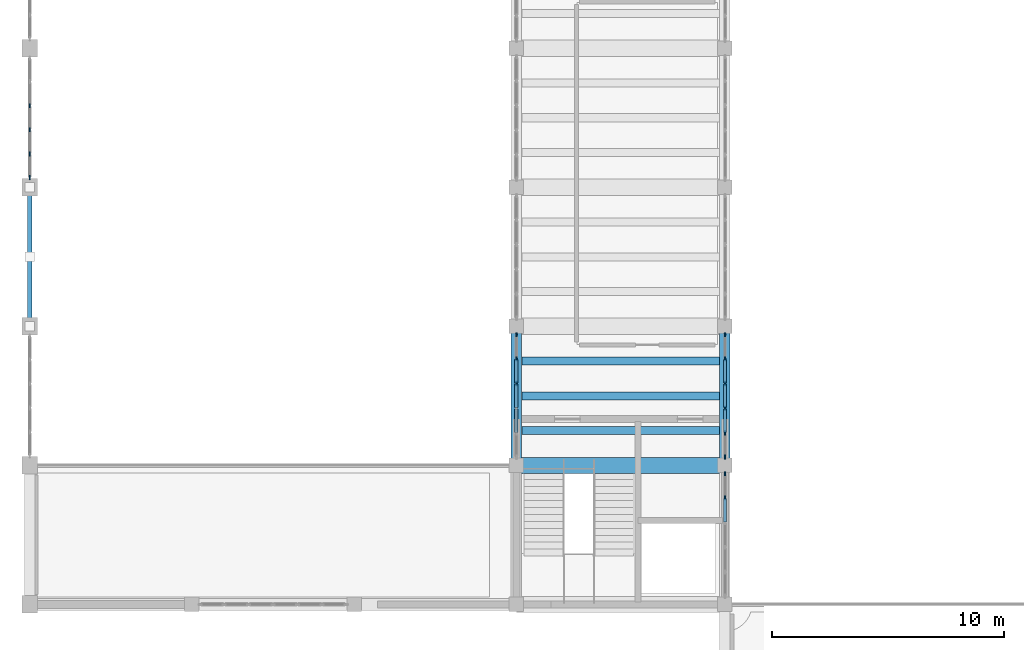
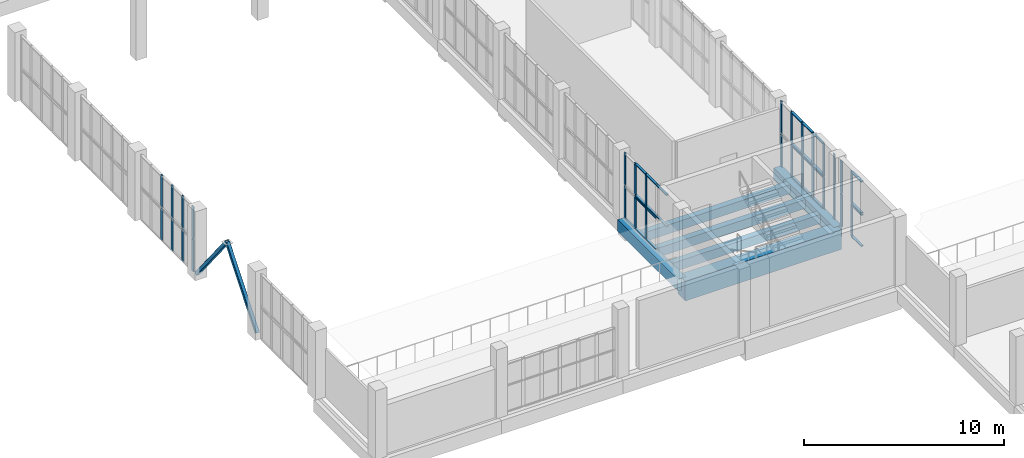
# One storey, part 4 of 85: 58 members, 6 beams, 8 elements without a shape of their own.
"""IFC4 building model written with IfcOpenShell, lengths in metres."""

import ifcopenshell
import ifcopenshell.guid

model = None  # the IFC model being written
_history = None  # IfcOwnerHistory: only IFC2X3 demands one
_inside = {}  # id of a spatial element -> (the spatial element, [elements in it])
_under = {}  # id of a project, library or spatial element -> (it, [spatial elements below it])
_declared = {}  # id of a project -> (the project, [libraries it declares])
_typed = {}  # id of a type object -> (the type object, [elements of that type])
_made_of = {}  # id of a material, layer set ... -> (it, [elements and type objects made of it])


def new_model(schema):
    """Start an empty IFC model of exactly this schema.

    Asked for "IFC4X3", IfcOpenShell would pick the latest addendum, in which some entities
    have other attributes; the version numbers below select the first issue.
    IFC2X3 requires an IfcOwnerHistory on every rooted entity: one is made here for all.
    """
    global model, _history
    if schema == "IFC4X3":
        model = ifcopenshell.file(schema_version=(4, 3, 0, 0))
    else:
        model = ifcopenshell.file(schema=schema)
    _inside.clear()
    _under.clear()
    _declared.clear()
    _typed.clear()
    _made_of.clear()
    _history = None
    if model.schema == "IFC2X3":
        org = make("IfcOrganization", Name="unknown")
        user = make(
            "IfcPersonAndOrganization",
            ThePerson=make("IfcPerson", FamilyName="unknown"),
            TheOrganization=org,
        )
        app = make(
            "IfcApplication",
            ApplicationDeveloper=org,
            Version="unknown",
            ApplicationFullName="unknown",
            ApplicationIdentifier="unknown",
        )
        _history = make(
            "IfcOwnerHistory",
            OwningUser=user,
            OwningApplication=app,
            ChangeAction="ADDED",
            CreationDate=0,
        )
    return model


def make(cls, **values):
    """One entity of the class cls with the attributes given. An attribute that is None is left unset."""
    return model.create_entity(
        cls, **{name: value for name, value in values.items() if value is not None}
    )


def rooted(cls, **values):
    """An entity with a GlobalId (a new one), such as an element, a storey or a relation."""
    return make(cls, GlobalId=ifcopenshell.guid.new(), OwnerHistory=_history, **values)


def si_unit(unit_type, name, prefix=None):
    """IfcSIUnit, for example si_unit("LENGTHUNIT", "METRE", prefix="MILLI")."""
    return make("IfcSIUnit", UnitType=unit_type, Prefix=prefix, Name=name)


def assignment(units):
    """IfcUnitAssignment: the units of a project."""
    return None if units is None else make("IfcUnitAssignment", Units=units)


def point(xyz):
    """IfcCartesianPoint."""
    return None if xyz is None else make("IfcCartesianPoint", Coordinates=xyz)


def direction(xyz):
    """IfcDirection."""
    return None if xyz is None else make("IfcDirection", DirectionRatios=xyz)


def frame(location, z_axis=None, x_axis=None):
    """IfcAxis2Placement3D, a coordinate frame: its origin and axes. An axis left out is left unset."""
    return make(
        "IfcAxis2Placement3D",
        Location=point(location),
        Axis=direction(z_axis),
        RefDirection=direction(x_axis),
    )


def frame_2d(location, x_axis=None):
    """IfcAxis2Placement2D, a coordinate frame in the plane: its origin and x axis."""
    return make(
        "IfcAxis2Placement2D", Location=point(location), RefDirection=direction(x_axis)
    )


def origin():
    """The frame at (0, 0, 0) with its axes left unset."""
    return frame((0.0, 0.0, 0.0))


def origin_2d():
    """The frame at (0, 0) in the plane with its x axis left unset."""
    return frame_2d((0.0, 0.0))


def place(relative_to, where):
    """IfcLocalPlacement: puts the frame where relative to a parent placement (None: the world)."""
    return make(
        "IfcLocalPlacement", PlacementRelTo=relative_to, RelativePlacement=where
    )


def context(
    kind, dimensions, precision=None, world=None, true_north=None, identifier=None
):
    """IfcGeometricRepresentationContext, for example the 3D "Model" context."""
    return make(
        "IfcGeometricRepresentationContext",
        ContextIdentifier=identifier,
        ContextType=kind,
        CoordinateSpaceDimension=dimensions,
        Precision=precision,
        WorldCoordinateSystem=world,
        TrueNorth=true_north,
    )


def subcontext(parent, identifier, kind, view, scale=None):
    """IfcGeometricRepresentationSubContext, for example "Body" below "Model"."""
    return make(
        "IfcGeometricRepresentationSubContext",
        ContextIdentifier=identifier,
        ContextType=kind,
        ParentContext=parent,
        TargetScale=scale,
        TargetView=view,
    )


def project(units=None, contexts=None):
    """IfcProject with its units and contexts."""
    return rooted(
        "IfcProject",
        Name="project",
        RepresentationContexts=contexts,
        UnitsInContext=assignment(units),
    )


def spatial(cls, under=None, at=None, **own):
    """A site, building, storey or space (cls), placed at a placement, below another one or the project."""
    s = rooted(cls, ObjectPlacement=at, **own)
    if under is not None:
        _under.setdefault(under.id(), (under, []))[1].append(s)
    return s


def profile(cls, at=None, kind="AREA", **sizes):
    """A parametric profile (cls). Its sizes go by their IFC names, for example OverallWidth=200.0."""
    return make(cls, ProfileType=kind, Position=at, **sizes)


def rectangle(**sizes):
    """IfcRectangleProfileDef."""
    return profile("IfcRectangleProfileDef", **sizes)


def hollow_rectangle(**sizes):
    """IfcRectangleHollowProfileDef."""
    return profile("IfcRectangleHollowProfileDef", **sizes)


def extrude(swept, where, along, depth):
    """IfcExtrudedAreaSolid: the profile swept, set in the frame where, extruded along a direction by depth."""
    return make(
        "IfcExtrudedAreaSolid",
        SweptArea=swept,
        Position=where,
        ExtrudedDirection=direction(along),
        Depth=depth,
    )


def shape(context_of_items, identifier, shape_type, items):
    """IfcShapeRepresentation: the items that make up one representation, for example the "Body"."""
    return make(
        "IfcShapeRepresentation",
        ContextOfItems=context_of_items,
        RepresentationIdentifier=identifier,
        RepresentationType=shape_type,
        Items=items,
    )


def material(Name=None, Category=None):
    """IfcMaterial."""
    return make("IfcMaterial", Name=Name, Category=Category)


def layer(
    of_material, thickness, ventilated=None, Name=None, Category=None, Priority=None
):
    """IfcMaterialLayer: one layer of a wall or slab, of a material (None: an air gap)."""
    return make(
        "IfcMaterialLayer",
        Material=of_material,
        LayerThickness=thickness,
        IsVentilated=ventilated,
        Name=Name,
        Category=Category,
        Priority=Priority,
    )


def layer_set(layers, Name=None):
    """IfcMaterialLayerSet."""
    return make("IfcMaterialLayerSet", MaterialLayers=layers, LayerSetName=Name)


def material_profile(
    of_material, cross_section, Name=None, Category=None, Priority=None
):
    """IfcMaterialProfile: a cross section and its material."""
    return make(
        "IfcMaterialProfile",
        Name=Name,
        Material=of_material,
        Profile=cross_section,
        Priority=Priority,
        Category=Category,
    )


def profile_set(profiles, Name=None, composite=None):
    """IfcMaterialProfileSet."""
    return make(
        "IfcMaterialProfileSet",
        Name=Name,
        MaterialProfiles=profiles,
        CompositeProfile=composite,
    )


def made_of(thing, what):
    """Note that an element or type object is made of a material, layer set ...; save() writes the relation."""
    if what is not None:
        _made_of.setdefault(what.id(), (what, []))[1].append(thing)
    return thing


def type_object(cls, material=None, **own):
    """A type object (cls), such as IfcWallType, which elements share."""
    return made_of(rooted(cls, **own), material)


def element(
    cls,
    number,
    at=None,
    inside=None,
    cuts=None,
    type_object=None,
    material=None,
    context=None,
    identifier="Body",
    shape_type=None,
    held_by="IfcProductDefinitionShape",
    body=None,
    shapes=None,
    **own,
):
    """One element of the class cls, such as IfcWall. Its Tag is "e" and its number.

    at: its placement. inside: the storey or other place that contains it. cuts: it is an
    opening in that element (IfcRelVoidsElement). A single representation is given by context,
    identifier, shape_type and body (its items); several are given by shapes. held_by: the class
    of the entity that holds the representations. save() writes the other relations.
    """
    e = rooted(cls, Tag="e%d" % number, ObjectPlacement=at, **own)
    if body is not None:
        shapes = [shape(context, identifier, shape_type, body)]
    if shapes is not None:
        e.Representation = make(held_by, Representations=shapes)
    if inside is not None:
        _inside.setdefault(inside.id(), (inside, []))[1].append(e)
    if cuts is not None:
        rooted(
            "IfcRelVoidsElement", RelatingBuildingElement=cuts, RelatedOpeningElement=e
        )
    if type_object is not None:
        _typed.setdefault(type_object.id(), (type_object, []))[1].append(e)
    return made_of(e, material)


def aggregate(whole, parts):
    """IfcRelAggregates: a whole, such as a stair, and the parts it consists of."""
    return rooted("IfcRelAggregates", RelatingObject=whole, RelatedObjects=parts)


def save(model, path):
    """Write the relations noted so far, then the file.

    IfcRelAggregates (storeys below a building ...), IfcRelContainedInSpatialStructure (elements
    in a storey), IfcRelDefinesByType, IfcRelAssociatesMaterial and IfcRelDeclares: one each for
    every whole, place, type object, material and project.
    """
    for whole, parts in _under.values():
        aggregate(whole, parts)
    for where, things in _inside.values():
        rooted(
            "IfcRelContainedInSpatialStructure",
            RelatedElements=things,
            RelatingStructure=where,
        )
    for kind, things in _typed.values():
        rooted("IfcRelDefinesByType", RelatedObjects=things, RelatingType=kind)
    for what, things in _made_of.values():
        rooted("IfcRelAssociatesMaterial", RelatedObjects=things, RelatingMaterial=what)
    for by, libraries in _declared.values():
        rooted("IfcRelDeclares", RelatingContext=by, RelatedDefinitions=libraries)
    model.write(path)


model = new_model("IFC4")

# Units and contexts
model_context = context("Model", 3, precision=1e-05, world=origin(), true_north=direction((0.0, 1.0)))
body_context = subcontext(model_context, "Body", "Model", "MODEL_VIEW")
ifc_project = project(units=[si_unit("LENGTHUNIT", "METRE"), si_unit("AREAUNIT", "SQUARE_METRE"), si_unit("VOLUMEUNIT", "CUBIC_METRE"), si_unit("PLANEANGLEUNIT", "RADIAN"), si_unit("MASSUNIT", "GRAM", prefix="KILO")], contexts=[model_context])

# Site, building, storey
site_placement = place(None, origin())
site = spatial("IfcSite", under=ifc_project, at=site_placement, CompositionType="ELEMENT")
building_placement = place(site_placement, origin())
building = spatial("IfcBuilding", under=site, at=building_placement, Name="Solvane Community Centre", CompositionType="ELEMENT")
storey_placement = place(building_placement, frame((0.0, 0.0, 5.39990234375)))
storey = spatial("IfcBuildingStorey", under=building, at=storey_placement, Name="L01", CompositionType="ELEMENT", Elevation=5.39990234375)

# Curtain wall, members
ifc_material_1 = material(Name="Anodised bronze aluminium AW-6063 T6", Category="aluminium")
ifc_layer_1 = layer(ifc_material_1, 0.179931640625)
ifc_layer_set_1 = layer_set([ifc_layer_1], Name="Anodised bronze aluminium AW-6063 T6")
curtain_wall_type_1 = type_object("IfcCurtainWallType", Name="Hall Translucent Upper Curtain Wall [53x19dm]", PredefinedType="NOTDEFINED", material=ifc_layer_set_1)
curtain_wall_1_placement = place(storey_placement, origin())
curtain_wall_1 = element("IfcCurtainWall", 1, at=curtain_wall_1_placement, inside=storey, type_object=curtain_wall_type_1, Name="Curtain Wall CW-L01-360_423-031", PredefinedType="NOTDEFINED")
ifc_material_profile_1 = material_profile(ifc_material_1, rectangle(XDim=0.06005859375, YDim=0.179931640625, at=origin_2d()), Name="CW-M 60x180")
ifc_profile_set_1 = profile_set([ifc_material_profile_1], Name="Anodised bronze aluminium AW-6063 T6")
member_type_1 = type_object("IfcMemberType", Name="Hall Mullion 60x180", PredefinedType="MULLION", material=ifc_profile_set_1)
member_1_placement = place(storey_placement, frame((36.0, 46.60205078125, 0.0), z_axis=(0.0, 0.0, 1.0), x_axis=(-1.0, 0.0, 0.0)))
member_1 = element("IfcMember", 2, at=member_1_placement, type_object=member_type_1, Name="CW01-53x19 mullion 5", PredefinedType="MULLION", context=body_context, shape_type="SweptSolid", body=[
    extrude(rectangle(XDim=0.06005859375, YDim=0.179931640625, at=origin_2d()), origin(), (0.0, 0.0, 1.0), 1.9501953125),
])
member_2_placement = place(storey_placement, frame((36.0, 47.639892578125, 0.0), z_axis=(0.0, 0.0, 1.0), x_axis=(-1.0, 0.0, 0.0)))
member_2 = element("IfcMember", 3, at=member_2_placement, type_object=member_type_1, Name="CW01-53x19 mullion 6", PredefinedType="MULLION", context=body_context, shape_type="SweptSolid", body=[
    extrude(rectangle(XDim=0.06005859375, YDim=0.179931640625, at=origin_2d()), origin(), (0.0, 0.0, 1.0), 1.9501953125),
])

ifc_layer_2 = layer(ifc_material_1, 0.179931640625)
ifc_layer_set_2 = layer_set([ifc_layer_2], Name="Anodised bronze aluminium AW-6063 T6")
curtain_wall_type_2 = type_object("IfcCurtainWallType", Name="Hall Translucent Upper Curtain Wall [53x20dm]", PredefinedType="NOTDEFINED", material=ifc_layer_set_2)
curtain_wall_2_placement = place(storey_placement, origin())
curtain_wall_2 = element("IfcCurtainWall", 4, at=curtain_wall_2_placement, inside=storey, type_object=curtain_wall_type_2, Name="Curtain Wall CW-L01-360_423-032", PredefinedType="NOTDEFINED")
member_3_placement = place(storey_placement, frame((36.0, 46.60205078125, 2.02001953125), z_axis=(0.0, 0.0, 1.0), x_axis=(-1.0, 0.0, 0.0)))
member_3 = element("IfcMember", 5, at=member_3_placement, type_object=member_type_1, Name="CW01-53x20 mullion 5", PredefinedType="MULLION", context=body_context, shape_type="SweptSolid", body=[
    extrude(rectangle(XDim=0.06005859375, YDim=0.179931640625, at=origin_2d()), origin(), (0.0, 0.0, 1.0), 1.9599609375),
])
member_4_placement = place(storey_placement, frame((36.0, 47.639892578125, 2.02001953125), z_axis=(0.0, 0.0, 1.0), x_axis=(-1.0, 0.0, 0.0)))
member_4 = element("IfcMember", 6, at=member_4_placement, type_object=member_type_1, Name="CW01-53x20 mullion 6", PredefinedType="MULLION", context=body_context, shape_type="SweptSolid", body=[
    extrude(rectangle(XDim=0.06005859375, YDim=0.179931640625, at=origin_2d()), origin(), (0.0, 0.0, 1.0), 1.9599609375),
])

curtain_wall_3_placement = place(storey_placement, origin())
curtain_wall_3 = element("IfcCurtainWall", 7, at=curtain_wall_3_placement, inside=storey, type_object=curtain_wall_type_1, Name="Curtain Wall CW-L01-360_483-035", PredefinedType="NOTDEFINED")
member_5_placement = place(storey_placement, frame((36.0, 48.360107421875, 0.0), z_axis=(0.0, 0.0, 1.0), x_axis=(-1.0, 0.0, 0.0)))
member_5 = element("IfcMember", 8, at=member_5_placement, type_object=member_type_1, Name="CW01-53x19 mullion 1", PredefinedType="MULLION", context=body_context, shape_type="SweptSolid", body=[
    extrude(rectangle(XDim=0.06005859375, YDim=0.179931640625, at=origin_2d()), origin(), (0.0, 0.0, 1.0), 1.9501953125),
])
member_6_placement = place(storey_placement, frame((36.0, 49.39794921875, 0.0), z_axis=(0.0, 0.0, 1.0), x_axis=(-1.0, 0.0, 0.0)))
member_6 = element("IfcMember", 9, at=member_6_placement, type_object=member_type_1, Name="CW01-53x19 mullion 2", PredefinedType="MULLION", context=body_context, shape_type="SweptSolid", body=[
    extrude(rectangle(XDim=0.06005859375, YDim=0.179931640625, at=origin_2d()), origin(), (0.0, 0.0, 1.0), 1.9501953125),
])
member_7_placement = place(storey_placement, frame((36.0, 50.466064453125, 0.0), z_axis=(0.0, 0.0, 1.0), x_axis=(-1.0, 0.0, 0.0)))
member_7 = element("IfcMember", 10, at=member_7_placement, type_object=member_type_1, Name="CW01-53x19 mullion 3", PredefinedType="MULLION", context=body_context, shape_type="SweptSolid", body=[
    extrude(rectangle(XDim=0.06005859375, YDim=0.179931640625, at=origin_2d()), origin(), (0.0, 0.0, 1.0), 1.9501953125),
])
member_8_placement = place(storey_placement, frame((36.0, 51.533935546875, 0.0), z_axis=(0.0, 0.0, 1.0), x_axis=(-1.0, 0.0, 0.0)))
member_8 = element("IfcMember", 11, at=member_8_placement, type_object=member_type_1, Name="CW01-53x19 mullion 4", PredefinedType="MULLION", context=body_context, shape_type="SweptSolid", body=[
    extrude(rectangle(XDim=0.06005859375, YDim=0.179931640625, at=origin_2d()), origin(), (0.0, 0.0, 1.0), 1.9501953125),
])
member_9_placement = place(storey_placement, frame((36.0, 52.60205078125, 0.0), z_axis=(0.0, 0.0, 1.0), x_axis=(-1.0, 0.0, 0.0)))
member_9 = element("IfcMember", 12, at=member_9_placement, type_object=member_type_1, Name="CW01-53x19 mullion 5", PredefinedType="MULLION", context=body_context, shape_type="SweptSolid", body=[
    extrude(rectangle(XDim=0.06005859375, YDim=0.179931640625, at=origin_2d()), origin(), (0.0, 0.0, 1.0), 1.9501953125),
])
member_10_placement = place(storey_placement, frame((36.0, 53.639892578125, 0.0), z_axis=(0.0, 0.0, 1.0), x_axis=(-1.0, 0.0, 0.0)))
member_10 = element("IfcMember", 13, at=member_10_placement, type_object=member_type_1, Name="CW01-53x19 mullion 6", PredefinedType="MULLION", context=body_context, shape_type="SweptSolid", body=[
    extrude(rectangle(XDim=0.06005859375, YDim=0.179931640625, at=origin_2d()), origin(), (0.0, 0.0, 1.0), 1.9501953125),
])

curtain_wall_4_placement = place(storey_placement, origin())
curtain_wall_4 = element("IfcCurtainWall", 14, at=curtain_wall_4_placement, inside=storey, type_object=curtain_wall_type_2, Name="Curtain Wall CW-L01-360_483-036", PredefinedType="NOTDEFINED")
member_11_placement = place(storey_placement, frame((36.0, 48.360107421875, 2.02001953125), z_axis=(0.0, 0.0, 1.0), x_axis=(-1.0, 0.0, 0.0)))
member_11 = element("IfcMember", 15, at=member_11_placement, type_object=member_type_1, Name="CW01-53x20 mullion 1", PredefinedType="MULLION", context=body_context, shape_type="SweptSolid", body=[
    extrude(rectangle(XDim=0.06005859375, YDim=0.179931640625, at=origin_2d()), origin(), (0.0, 0.0, 1.0), 1.9599609375),
])
member_12_placement = place(storey_placement, frame((36.0, 49.39794921875, 2.02001953125), z_axis=(0.0, 0.0, 1.0), x_axis=(-1.0, 0.0, 0.0)))
member_12 = element("IfcMember", 16, at=member_12_placement, type_object=member_type_1, Name="CW01-53x20 mullion 2", PredefinedType="MULLION", context=body_context, shape_type="SweptSolid", body=[
    extrude(rectangle(XDim=0.06005859375, YDim=0.179931640625, at=origin_2d()), origin(), (0.0, 0.0, 1.0), 1.9599609375),
])
member_13_placement = place(storey_placement, frame((36.0, 50.466064453125, 2.02001953125), z_axis=(0.0, 0.0, 1.0), x_axis=(-1.0, 0.0, 0.0)))
member_13 = element("IfcMember", 17, at=member_13_placement, type_object=member_type_1, Name="CW01-53x20 mullion 3", PredefinedType="MULLION", context=body_context, shape_type="SweptSolid", body=[
    extrude(rectangle(XDim=0.06005859375, YDim=0.179931640625, at=origin_2d()), origin(), (0.0, 0.0, 1.0), 1.9599609375),
])
member_14_placement = place(storey_placement, frame((36.0, 51.533935546875, 2.02001953125), z_axis=(0.0, 0.0, 1.0), x_axis=(-1.0, 0.0, 0.0)))
member_14 = element("IfcMember", 18, at=member_14_placement, type_object=member_type_1, Name="CW01-53x20 mullion 4", PredefinedType="MULLION", context=body_context, shape_type="SweptSolid", body=[
    extrude(rectangle(XDim=0.06005859375, YDim=0.179931640625, at=origin_2d()), origin(), (0.0, 0.0, 1.0), 1.9599609375),
])
member_15_placement = place(storey_placement, frame((36.0, 52.60205078125, 2.02001953125), z_axis=(0.0, 0.0, 1.0), x_axis=(-1.0, 0.0, 0.0)))
member_15 = element("IfcMember", 19, at=member_15_placement, type_object=member_type_1, Name="CW01-53x20 mullion 5", PredefinedType="MULLION", context=body_context, shape_type="SweptSolid", body=[
    extrude(rectangle(XDim=0.06005859375, YDim=0.179931640625, at=origin_2d()), origin(), (0.0, 0.0, 1.0), 1.9599609375),
])
member_16_placement = place(storey_placement, frame((36.0, 53.639892578125, 2.02001953125), z_axis=(0.0, 0.0, 1.0), x_axis=(-1.0, 0.0, 0.0)))
member_16 = element("IfcMember", 20, at=member_16_placement, type_object=member_type_1, Name="CW01-53x20 mullion 6", PredefinedType="MULLION", context=body_context, shape_type="SweptSolid", body=[
    extrude(rectangle(XDim=0.06005859375, YDim=0.179931640625, at=origin_2d()), origin(), (0.0, 0.0, 1.0), 1.9599609375),
])

curtain_wall_5_placement = place(storey_placement, origin())
curtain_wall_5 = element("IfcCurtainWall", 21, at=curtain_wall_5_placement, inside=storey, type_object=curtain_wall_type_1, Name="Curtain Wall CW-L01-270_537-041", PredefinedType="NOTDEFINED")
member_17_placement = place(storey_placement, frame((27.0, 53.639892578125, 0.0), z_axis=(0.0, 0.0, 1.0), x_axis=(1.0, 0.0, 0.0)))
member_17 = element("IfcMember", 22, at=member_17_placement, type_object=member_type_1, Name="CW01-53x19 mullion 1", PredefinedType="MULLION", context=body_context, shape_type="SweptSolid", body=[
    extrude(rectangle(XDim=0.06005859375, YDim=0.179931640625, at=origin_2d()), origin(), (0.0, 0.0, 1.0), 1.9501953125),
])
member_18_placement = place(storey_placement, frame((27.0, 52.60205078125, 0.0), z_axis=(0.0, 0.0, 1.0), x_axis=(1.0, 0.0, 0.0)))
member_18 = element("IfcMember", 23, at=member_18_placement, type_object=member_type_1, Name="CW01-53x19 mullion 2", PredefinedType="MULLION", context=body_context, shape_type="SweptSolid", body=[
    extrude(rectangle(XDim=0.06005859375, YDim=0.179931640625, at=origin_2d()), origin(), (0.0, 0.0, 1.0), 1.9501953125),
])
member_19_placement = place(storey_placement, frame((27.0, 51.533935546875, 0.0), z_axis=(0.0, 0.0, 1.0), x_axis=(1.0, 0.0, 0.0)))
member_19 = element("IfcMember", 24, at=member_19_placement, type_object=member_type_1, Name="CW01-53x19 mullion 3", PredefinedType="MULLION", context=body_context, shape_type="SweptSolid", body=[
    extrude(rectangle(XDim=0.06005859375, YDim=0.179931640625, at=origin_2d()), origin(), (0.0, 0.0, 1.0), 1.9501953125),
])

curtain_wall_6_placement = place(storey_placement, origin())
curtain_wall_6 = element("IfcCurtainWall", 25, at=curtain_wall_6_placement, inside=storey, type_object=curtain_wall_type_2, Name="Curtain Wall CW-L01-270_537-042", PredefinedType="NOTDEFINED")
member_20_placement = place(storey_placement, frame((27.0, 53.639892578125, 2.02001953125), z_axis=(0.0, 0.0, 1.0), x_axis=(1.0, 0.0, 0.0)))
member_20 = element("IfcMember", 26, at=member_20_placement, type_object=member_type_1, Name="CW01-53x20 mullion 1", PredefinedType="MULLION", context=body_context, shape_type="SweptSolid", body=[
    extrude(rectangle(XDim=0.06005859375, YDim=0.179931640625, at=origin_2d()), origin(), (0.0, 0.0, 1.0), 1.9599609375),
])
member_21_placement = place(storey_placement, frame((27.0, 52.60205078125, 2.02001953125), z_axis=(0.0, 0.0, 1.0), x_axis=(1.0, 0.0, 0.0)))
member_21 = element("IfcMember", 27, at=member_21_placement, type_object=member_type_1, Name="CW01-53x20 mullion 2", PredefinedType="MULLION", context=body_context, shape_type="SweptSolid", body=[
    extrude(rectangle(XDim=0.06005859375, YDim=0.179931640625, at=origin_2d()), origin(), (0.0, 0.0, 1.0), 1.9599609375),
])
member_22_placement = place(storey_placement, frame((27.0, 51.533935546875, 2.02001953125), z_axis=(0.0, 0.0, 1.0), x_axis=(1.0, 0.0, 0.0)))
member_22 = element("IfcMember", 28, at=member_22_placement, type_object=member_type_1, Name="CW01-53x20 mullion 3", PredefinedType="MULLION", context=body_context, shape_type="SweptSolid", body=[
    extrude(rectangle(XDim=0.06005859375, YDim=0.179931640625, at=origin_2d()), origin(), (0.0, 0.0, 1.0), 1.9599609375),
])

ifc_layer_3 = layer(ifc_material_1, 0.179931640625)
ifc_layer_set_3 = layer_set([ifc_layer_3], Name="Anodised bronze aluminium AW-6063 T6")
curtain_wall_type_3 = type_object("IfcCurtainWallType", Name="Hall Translucent Upper Curtain Wall [52x19dm]", PredefinedType="NOTDEFINED", material=ifc_layer_set_3)
curtain_wall_7_placement = place(storey_placement, origin())
curtain_wall_7 = element("IfcCurtainWall", 29, at=curtain_wall_7_placement, inside=storey, type_object=curtain_wall_type_3, Name="Curtain Wall CW-L01-60_604-053", PredefinedType="NOTDEFINED")
member_23_placement = place(storey_placement, frame((6.0, 60.425048828125, 0.0), z_axis=(0.0, 0.0, 1.0), x_axis=(-1.0, 0.0, 0.0)))
member_23 = element("IfcMember", 30, at=member_23_placement, type_object=member_type_1, Name="CW01-52x19 mullion 1", PredefinedType="MULLION", context=body_context, shape_type="SweptSolid", body=[
    extrude(rectangle(XDim=0.06005859375, YDim=0.179931640625, at=origin_2d()), origin(), (0.0, 0.0, 1.0), 1.9501953125),
])
member_24_placement = place(storey_placement, frame((6.0, 61.43701171875, 0.0), z_axis=(0.0, 0.0, 1.0), x_axis=(-1.0, 0.0, 0.0)))
member_24 = element("IfcMember", 31, at=member_24_placement, type_object=member_type_1, Name="CW01-52x19 mullion 2", PredefinedType="MULLION", context=body_context, shape_type="SweptSolid", body=[
    extrude(rectangle(XDim=0.06005859375, YDim=0.179931640625, at=origin_2d()), origin(), (0.0, 0.0, 1.0), 1.9501953125),
])
member_25_placement = place(storey_placement, frame((6.0, 62.47900390625, 0.0), z_axis=(0.0, 0.0, 1.0), x_axis=(-1.0, 0.0, 0.0)))
member_25 = element("IfcMember", 32, at=member_25_placement, type_object=member_type_1, Name="CW01-52x19 mullion 3", PredefinedType="MULLION", context=body_context, shape_type="SweptSolid", body=[
    extrude(rectangle(XDim=0.06005859375, YDim=0.179931640625, at=origin_2d()), origin(), (0.0, 0.0, 1.0), 1.9501953125),
])
member_26_placement = place(storey_placement, frame((6.0, 63.52099609375, 0.0), z_axis=(0.0, 0.0, 1.0), x_axis=(-1.0, 0.0, 0.0)))
member_26 = element("IfcMember", 33, at=member_26_placement, type_object=member_type_1, Name="CW01-52x19 mullion 4", PredefinedType="MULLION", context=body_context, shape_type="SweptSolid", body=[
    extrude(rectangle(XDim=0.06005859375, YDim=0.179931640625, at=origin_2d()), origin(), (0.0, 0.0, 1.0), 1.9501953125),
])
aggregate(curtain_wall_7, [member_23, member_24, member_25, member_26])

ifc_layer_4 = layer(ifc_material_1, 0.179931640625)
ifc_layer_set_4 = layer_set([ifc_layer_4], Name="Anodised bronze aluminium AW-6063 T6")
curtain_wall_type_4 = type_object("IfcCurtainWallType", Name="Hall Translucent Upper Curtain Wall [52x20dm]", PredefinedType="NOTDEFINED", material=ifc_layer_set_4)
curtain_wall_8_placement = place(storey_placement, origin())
curtain_wall_8 = element("IfcCurtainWall", 34, at=curtain_wall_8_placement, inside=storey, type_object=curtain_wall_type_4, Name="Curtain Wall CW-L01-60_604-054", PredefinedType="NOTDEFINED")
member_27_placement = place(storey_placement, frame((6.0, 60.425048828125, 2.02001953125), z_axis=(0.0, 0.0, 1.0), x_axis=(-1.0, 0.0, 0.0)))
member_27 = element("IfcMember", 35, at=member_27_placement, type_object=member_type_1, Name="CW01-52x20 mullion 1", PredefinedType="MULLION", context=body_context, shape_type="SweptSolid", body=[
    extrude(rectangle(XDim=0.06005859375, YDim=0.179931640625, at=origin_2d()), origin(), (0.0, 0.0, 1.0), 1.9599609375),
])
member_28_placement = place(storey_placement, frame((6.0, 61.43701171875, 2.02001953125), z_axis=(0.0, 0.0, 1.0), x_axis=(-1.0, 0.0, 0.0)))
member_28 = element("IfcMember", 36, at=member_28_placement, type_object=member_type_1, Name="CW01-52x20 mullion 2", PredefinedType="MULLION", context=body_context, shape_type="SweptSolid", body=[
    extrude(rectangle(XDim=0.06005859375, YDim=0.179931640625, at=origin_2d()), origin(), (0.0, 0.0, 1.0), 1.9599609375),
])
member_29_placement = place(storey_placement, frame((6.0, 62.47900390625, 2.02001953125), z_axis=(0.0, 0.0, 1.0), x_axis=(-1.0, 0.0, 0.0)))
member_29 = element("IfcMember", 37, at=member_29_placement, type_object=member_type_1, Name="CW01-52x20 mullion 3", PredefinedType="MULLION", context=body_context, shape_type="SweptSolid", body=[
    extrude(rectangle(XDim=0.06005859375, YDim=0.179931640625, at=origin_2d()), origin(), (0.0, 0.0, 1.0), 1.9599609375),
])
member_30_placement = place(storey_placement, frame((6.0, 63.52099609375, 2.02001953125), z_axis=(0.0, 0.0, 1.0), x_axis=(-1.0, 0.0, 0.0)))
member_30 = element("IfcMember", 38, at=member_30_placement, type_object=member_type_1, Name="CW01-52x20 mullion 4", PredefinedType="MULLION", context=body_context, shape_type="SweptSolid", body=[
    extrude(rectangle(XDim=0.06005859375, YDim=0.179931640625, at=origin_2d()), origin(), (0.0, 0.0, 1.0), 1.9599609375),
])
aggregate(curtain_wall_8, [member_27, member_28, member_29, member_30])

# Member
ifc_material_profile_2 = material_profile(ifc_material_1, rectangle(XDim=0.139892578125, YDim=0.06005859375, at=origin_2d()), Name="CW-T 60x140")
ifc_profile_set_2 = profile_set([ifc_material_profile_2], Name="Anodised bronze aluminium AW-6063 T6")
member_type_2 = type_object("IfcMemberType", Name="Hall Transom 60x140", PredefinedType="USERDEFINED", material=ifc_profile_set_2)
member_31_placement = place(storey_placement, frame((36.0, 45.56396484375, 0.030029296875), z_axis=(0.0, 1.0, 0.0), x_axis=(-1.0, 0.0, 0.0)))
member_31 = element("IfcMember", 39, at=member_31_placement, type_object=member_type_2, Name="CW01-53x19 transom 4.1", ObjectType="TRANSOM", PredefinedType="USERDEFINED", context=body_context, shape_type="SweptSolid", body=[
    extrude(rectangle(XDim=0.139892578125, YDim=0.06005859375, at=origin_2d()), origin(), (0.0, 0.0, 1.0), 1.008056640625),
])

member_32_placement = place(storey_placement, frame((36.0, 45.56396484375, 1.920166015625), z_axis=(0.0, 1.0, 0.0), x_axis=(-1.0, 0.0, 0.0)))
member_32 = element("IfcMember", 40, at=member_32_placement, type_object=member_type_2, Name="CW01-53x19 transom 4.2", ObjectType="TRANSOM", PredefinedType="USERDEFINED", context=body_context, shape_type="SweptSolid", body=[
    extrude(rectangle(XDim=0.139892578125, YDim=0.06005859375, at=origin_2d()), origin(), (0.0, 0.0, 1.0), 1.008056640625),
])

aggregate(curtain_wall_1, [member_1, member_2, member_31, member_32])

member_33_placement = place(storey_placement, frame((36.0, 45.56396484375, 2.050048828125), z_axis=(0.0, 1.0, 0.0), x_axis=(-1.0, 0.0, 0.0)))
member_33 = element("IfcMember", 41, at=member_33_placement, type_object=member_type_2, Name="CW01-53x20 transom 4.1", ObjectType="TRANSOM", PredefinedType="USERDEFINED", context=body_context, shape_type="SweptSolid", body=[
    extrude(rectangle(XDim=0.139892578125, YDim=0.06005859375, at=origin_2d()), origin(), (0.0, 0.0, 1.0), 1.008056640625),
])

member_34_placement = place(storey_placement, frame((36.0, 45.56396484375, 3.9501953125), z_axis=(0.0, 1.0, 0.0), x_axis=(-1.0, 0.0, 0.0)))
member_34 = element("IfcMember", 42, at=member_34_placement, type_object=member_type_2, Name="CW01-53x20 transom 4.2", ObjectType="TRANSOM", PredefinedType="USERDEFINED", context=body_context, shape_type="SweptSolid", body=[
    extrude(rectangle(XDim=0.139892578125, YDim=0.06005859375, at=origin_2d()), origin(), (0.0, 0.0, 1.0), 1.008056640625),
])

aggregate(curtain_wall_2, [member_3, member_4, member_33, member_34])

member_35_placement = place(storey_placement, frame((36.0, 49.427978515625, 0.030029296875), z_axis=(0.0, 1.0, 0.0), x_axis=(-1.0, 0.0, 0.0)))
member_35 = element("IfcMember", 43, at=member_35_placement, type_object=member_type_2, Name="CW01-53x19 transom 2.1", ObjectType="TRANSOM", PredefinedType="USERDEFINED", context=body_context, shape_type="SweptSolid", body=[
    extrude(rectangle(XDim=0.139892578125, YDim=0.06005859375, at=origin_2d()), origin(), (0.0, 0.0, 1.0), 1.008056640625),
])

member_36_placement = place(storey_placement, frame((36.0, 49.427978515625, 1.920166015625), z_axis=(0.0, 1.0, 0.0), x_axis=(-1.0, 0.0, 0.0)))
member_36 = element("IfcMember", 44, at=member_36_placement, type_object=member_type_2, Name="CW01-53x19 transom 2.2", ObjectType="TRANSOM", PredefinedType="USERDEFINED", context=body_context, shape_type="SweptSolid", body=[
    extrude(rectangle(XDim=0.139892578125, YDim=0.06005859375, at=origin_2d()), origin(), (0.0, 0.0, 1.0), 1.008056640625),
])

member_37_placement = place(storey_placement, frame((36.0, 50.49609375, 0.030029296875), z_axis=(0.0, 1.0, 0.0), x_axis=(-1.0, 0.0, 0.0)))
member_37 = element("IfcMember", 45, at=member_37_placement, type_object=member_type_2, Name="CW01-53x19 transom 3.1", ObjectType="TRANSOM", PredefinedType="USERDEFINED", context=body_context, shape_type="SweptSolid", body=[
    extrude(rectangle(XDim=0.139892578125, YDim=0.06005859375, at=origin_2d()), origin(), (0.0, 0.0, 1.0), 1.0078125),
])

member_38_placement = place(storey_placement, frame((36.0, 50.49609375, 1.920166015625), z_axis=(0.0, 1.0, 0.0), x_axis=(-1.0, 0.0, 0.0)))
member_38 = element("IfcMember", 46, at=member_38_placement, type_object=member_type_2, Name="CW01-53x19 transom 3.2", ObjectType="TRANSOM", PredefinedType="USERDEFINED", context=body_context, shape_type="SweptSolid", body=[
    extrude(rectangle(XDim=0.139892578125, YDim=0.06005859375, at=origin_2d()), origin(), (0.0, 0.0, 1.0), 1.0078125),
])

member_39_placement = place(storey_placement, frame((36.0, 51.56396484375, 0.030029296875), z_axis=(0.0, 1.0, 0.0), x_axis=(-1.0, 0.0, 0.0)))
member_39 = element("IfcMember", 47, at=member_39_placement, type_object=member_type_2, Name="CW01-53x19 transom 4.1", ObjectType="TRANSOM", PredefinedType="USERDEFINED", context=body_context, shape_type="SweptSolid", body=[
    extrude(rectangle(XDim=0.139892578125, YDim=0.06005859375, at=origin_2d()), origin(), (0.0, 0.0, 1.0), 1.008056640625),
])

member_40_placement = place(storey_placement, frame((36.0, 51.56396484375, 1.920166015625), z_axis=(0.0, 1.0, 0.0), x_axis=(-1.0, 0.0, 0.0)))
member_40 = element("IfcMember", 48, at=member_40_placement, type_object=member_type_2, Name="CW01-53x19 transom 4.2", ObjectType="TRANSOM", PredefinedType="USERDEFINED", context=body_context, shape_type="SweptSolid", body=[
    extrude(rectangle(XDim=0.139892578125, YDim=0.06005859375, at=origin_2d()), origin(), (0.0, 0.0, 1.0), 1.008056640625),
])

aggregate(curtain_wall_3, [member_5, member_6, member_7, member_8, member_9, member_10, member_35, member_36, member_37, member_38, member_39, member_40])

member_41_placement = place(storey_placement, frame((36.0, 49.427978515625, 2.050048828125), z_axis=(0.0, 1.0, 0.0), x_axis=(-1.0, 0.0, 0.0)))
member_41 = element("IfcMember", 49, at=member_41_placement, type_object=member_type_2, Name="CW01-53x20 transom 2.1", ObjectType="TRANSOM", PredefinedType="USERDEFINED", context=body_context, shape_type="SweptSolid", body=[
    extrude(rectangle(XDim=0.139892578125, YDim=0.06005859375, at=origin_2d()), origin(), (0.0, 0.0, 1.0), 1.008056640625),
])

member_42_placement = place(storey_placement, frame((36.0, 49.427978515625, 3.9501953125), z_axis=(0.0, 1.0, 0.0), x_axis=(-1.0, 0.0, 0.0)))
member_42 = element("IfcMember", 50, at=member_42_placement, type_object=member_type_2, Name="CW01-53x20 transom 2.2", ObjectType="TRANSOM", PredefinedType="USERDEFINED", context=body_context, shape_type="SweptSolid", body=[
    extrude(rectangle(XDim=0.139892578125, YDim=0.06005859375, at=origin_2d()), origin(), (0.0, 0.0, 1.0), 1.008056640625),
])

member_43_placement = place(storey_placement, frame((36.0, 50.49609375, 2.050048828125), z_axis=(0.0, 1.0, 0.0), x_axis=(-1.0, 0.0, 0.0)))
member_43 = element("IfcMember", 51, at=member_43_placement, type_object=member_type_2, Name="CW01-53x20 transom 3.1", ObjectType="TRANSOM", PredefinedType="USERDEFINED", context=body_context, shape_type="SweptSolid", body=[
    extrude(rectangle(XDim=0.139892578125, YDim=0.06005859375, at=origin_2d()), origin(), (0.0, 0.0, 1.0), 1.0078125),
])

member_44_placement = place(storey_placement, frame((36.0, 50.49609375, 3.9501953125), z_axis=(0.0, 1.0, 0.0), x_axis=(-1.0, 0.0, 0.0)))
member_44 = element("IfcMember", 52, at=member_44_placement, type_object=member_type_2, Name="CW01-53x20 transom 3.2", ObjectType="TRANSOM", PredefinedType="USERDEFINED", context=body_context, shape_type="SweptSolid", body=[
    extrude(rectangle(XDim=0.139892578125, YDim=0.06005859375, at=origin_2d()), origin(), (0.0, 0.0, 1.0), 1.0078125),
])

member_45_placement = place(storey_placement, frame((36.0, 51.56396484375, 2.050048828125), z_axis=(0.0, 1.0, 0.0), x_axis=(-1.0, 0.0, 0.0)))
member_45 = element("IfcMember", 53, at=member_45_placement, type_object=member_type_2, Name="CW01-53x20 transom 4.1", ObjectType="TRANSOM", PredefinedType="USERDEFINED", context=body_context, shape_type="SweptSolid", body=[
    extrude(rectangle(XDim=0.139892578125, YDim=0.06005859375, at=origin_2d()), origin(), (0.0, 0.0, 1.0), 1.008056640625),
])

member_46_placement = place(storey_placement, frame((36.0, 51.56396484375, 3.9501953125), z_axis=(0.0, 1.0, 0.0), x_axis=(-1.0, 0.0, 0.0)))
member_46 = element("IfcMember", 54, at=member_46_placement, type_object=member_type_2, Name="CW01-53x20 transom 4.2", ObjectType="TRANSOM", PredefinedType="USERDEFINED", context=body_context, shape_type="SweptSolid", body=[
    extrude(rectangle(XDim=0.139892578125, YDim=0.06005859375, at=origin_2d()), origin(), (0.0, 0.0, 1.0), 1.008056640625),
])

aggregate(curtain_wall_4, [member_11, member_12, member_13, member_14, member_15, member_16, member_41, member_42, member_43, member_44, member_45, member_46])

member_47_placement = place(storey_placement, frame((27.0, 52.572021484375, 0.030029296875), z_axis=(0.0, -1.0, 0.0), x_axis=(1.0, 0.0, 0.0)))
member_47 = element("IfcMember", 55, at=member_47_placement, type_object=member_type_2, Name="CW01-53x19 transom 2.1", ObjectType="TRANSOM", PredefinedType="USERDEFINED", context=body_context, shape_type="SweptSolid", body=[
    extrude(rectangle(XDim=0.139892578125, YDim=0.06005859375, at=origin_2d()), origin(), (0.0, 0.0, 1.0), 1.008056640625),
])

member_48_placement = place(storey_placement, frame((27.0, 52.572021484375, 1.920166015625), z_axis=(0.0, -1.0, 0.0), x_axis=(1.0, 0.0, 0.0)))
member_48 = element("IfcMember", 56, at=member_48_placement, type_object=member_type_2, Name="CW01-53x19 transom 2.2", ObjectType="TRANSOM", PredefinedType="USERDEFINED", context=body_context, shape_type="SweptSolid", body=[
    extrude(rectangle(XDim=0.139892578125, YDim=0.06005859375, at=origin_2d()), origin(), (0.0, 0.0, 1.0), 1.008056640625),
])

member_49_placement = place(storey_placement, frame((27.0, 51.50390625, 0.030029296875), z_axis=(0.0, -1.0, 0.0), x_axis=(1.0, 0.0, 0.0)))
member_49 = element("IfcMember", 57, at=member_49_placement, type_object=member_type_2, Name="CW01-53x19 transom 3.1", ObjectType="TRANSOM", PredefinedType="USERDEFINED", context=body_context, shape_type="SweptSolid", body=[
    extrude(rectangle(XDim=0.139892578125, YDim=0.06005859375, at=origin_2d()), origin(), (0.0, 0.0, 1.0), 1.0078125),
])

member_50_placement = place(storey_placement, frame((27.0, 51.50390625, 1.920166015625), z_axis=(0.0, -1.0, 0.0), x_axis=(1.0, 0.0, 0.0)))
member_50 = element("IfcMember", 58, at=member_50_placement, type_object=member_type_2, Name="CW01-53x19 transom 3.2", ObjectType="TRANSOM", PredefinedType="USERDEFINED", context=body_context, shape_type="SweptSolid", body=[
    extrude(rectangle(XDim=0.139892578125, YDim=0.06005859375, at=origin_2d()), origin(), (0.0, 0.0, 1.0), 1.0078125),
])

aggregate(curtain_wall_5, [member_17, member_18, member_19, member_47, member_48, member_49, member_50])

member_51_placement = place(storey_placement, frame((27.0, 52.572021484375, 2.050048828125), z_axis=(0.0, -1.0, 0.0), x_axis=(1.0, 0.0, 0.0)))
member_51 = element("IfcMember", 59, at=member_51_placement, type_object=member_type_2, Name="CW01-53x20 transom 2.1", ObjectType="TRANSOM", PredefinedType="USERDEFINED", context=body_context, shape_type="SweptSolid", body=[
    extrude(rectangle(XDim=0.139892578125, YDim=0.06005859375, at=origin_2d()), origin(), (0.0, 0.0, 1.0), 1.008056640625),
])

member_52_placement = place(storey_placement, frame((27.0, 52.572021484375, 3.9501953125), z_axis=(0.0, -1.0, 0.0), x_axis=(1.0, 0.0, 0.0)))
member_52 = element("IfcMember", 60, at=member_52_placement, type_object=member_type_2, Name="CW01-53x20 transom 2.2", ObjectType="TRANSOM", PredefinedType="USERDEFINED", context=body_context, shape_type="SweptSolid", body=[
    extrude(rectangle(XDim=0.139892578125, YDim=0.06005859375, at=origin_2d()), origin(), (0.0, 0.0, 1.0), 1.008056640625),
])

member_53_placement = place(storey_placement, frame((27.0, 51.50390625, 2.050048828125), z_axis=(0.0, -1.0, 0.0), x_axis=(1.0, 0.0, 0.0)))
member_53 = element("IfcMember", 61, at=member_53_placement, type_object=member_type_2, Name="CW01-53x20 transom 3.1", ObjectType="TRANSOM", PredefinedType="USERDEFINED", context=body_context, shape_type="SweptSolid", body=[
    extrude(rectangle(XDim=0.139892578125, YDim=0.06005859375, at=origin_2d()), origin(), (0.0, 0.0, 1.0), 1.0078125),
])

member_54_placement = place(storey_placement, frame((27.0, 51.50390625, 3.9501953125), z_axis=(0.0, -1.0, 0.0), x_axis=(1.0, 0.0, 0.0)))
member_54 = element("IfcMember", 62, at=member_54_placement, type_object=member_type_2, Name="CW01-53x20 transom 3.2", ObjectType="TRANSOM", PredefinedType="USERDEFINED", context=body_context, shape_type="SweptSolid", body=[
    extrude(rectangle(XDim=0.139892578125, YDim=0.06005859375, at=origin_2d()), origin(), (0.0, 0.0, 1.0), 1.0078125),
])

member_55_placement = place(storey_placement, frame((27.0, 50.43603515625, 2.050048828125), z_axis=(0.0, -1.0, 0.0), x_axis=(1.0, 0.0, 0.0)))
member_55 = element("IfcMember", 63, at=member_55_placement, type_object=member_type_2, Name="CW01-53x20 transom 4.1", ObjectType="TRANSOM", PredefinedType="USERDEFINED", context=body_context, shape_type="SweptSolid", body=[
    extrude(rectangle(XDim=0.139892578125, YDim=0.06005859375, at=origin_2d()), origin(), (0.0, 0.0, 1.0), 1.008056640625),
])

member_56_placement = place(storey_placement, frame((27.0, 50.43603515625, 3.9501953125), z_axis=(0.0, -1.0, 0.0), x_axis=(1.0, 0.0, 0.0)))
member_56 = element("IfcMember", 64, at=member_56_placement, type_object=member_type_2, Name="CW01-53x20 transom 4.2", ObjectType="TRANSOM", PredefinedType="USERDEFINED", context=body_context, shape_type="SweptSolid", body=[
    extrude(rectangle(XDim=0.139892578125, YDim=0.06005859375, at=origin_2d()), origin(), (0.0, 0.0, 1.0), 1.008056640625),
])

aggregate(curtain_wall_6, [member_20, member_21, member_22, member_51, member_52, member_53, member_54, member_55, member_56])

# Members
ifc_material_2 = material(Name="Steel ASTM A572 Grade 50", Category="steel")
ifc_material_profile_3 = material_profile(ifc_material_2, hollow_rectangle(XDim=0.203125, YDim=0.203125, WallThickness=0.0126953125, InnerFilletRadius=0.0126953125, OuterFilletRadius=0.025390625, at=origin_2d()), Name="HSS 203x203x12.7")
ifc_profile_set_3 = profile_set([ifc_material_profile_3], Name="Steel ASTM A572 Grade 50")
member_type_3 = type_object("IfcMemberType", Name="Heavy Frame Seismic Brace HSS203", PredefinedType="BRACE", material=ifc_profile_set_3)
for number, where, z_axis, x_axis, name in (
    (65, (6.0, 54.0, 0.1201171875), (0.0, 0.625712929237, 0.780053414957), (-1.0, 0.0, 0.0), "Member MEM-L01-0378"),
    (66, (6.0, 60.0, 0.1201171875), (0.0, -0.625712929237, 0.780053414957), (1.0, 0.0, 0.0), "Member MEM-L01-0379"),
):
    element("IfcMember", number, at=place(storey_placement, frame(where, z_axis=z_axis, x_axis=x_axis)), inside=storey, type_object=member_type_3, Name=name, PredefinedType="BRACE", context=body_context, shape_type="SweptSolid", body=[
        extrude(hollow_rectangle(XDim=0.203125, YDim=0.203125, WallThickness=0.0126953125, InnerFilletRadius=0.0126953125, OuterFilletRadius=0.025390625, at=origin_2d()), origin(), (0.0, 0.0, 1.0), 4.79443359375),
    ])

# Beams
ifc_material_3 = material(Name="Concrete C35/45", Category="concrete")
ifc_material_profile_4 = material_profile(ifc_material_3, rectangle(XDim=0.4599609375, YDim=0.719970703125, at=origin_2d()), Name="RC 460x720")
ifc_profile_set_4 = profile_set([ifc_material_profile_4], Name="Concrete C35/45")
beam_type_1 = type_object("IfcBeamType", Name="RC Cloister Beam 460x720", PredefinedType="BEAM", material=ifc_profile_set_4)
for number, where, z_axis, x_axis, name in (
    (67, (27.0, 48.0, -0.599853515625), (0.0, 1.0, 0.0), (-1.0, 0.0, 0.0), "Beam BM-L01-270_480-270_540"),
    (68, (36.0, 48.0, -0.599853515625), (0.0, 1.0, 0.0), (-1.0, 0.0, 0.0), "Beam BM-L01-360_480-360_540"),
):
    element("IfcBeam", number, at=place(storey_placement, frame(where, z_axis=z_axis, x_axis=x_axis)), inside=storey, type_object=beam_type_1, Name=name, PredefinedType="BEAM", context=body_context, shape_type="SweptSolid", body=[
        extrude(rectangle(XDim=0.4599609375, YDim=0.719970703125, at=origin_2d()), origin(), (0.0, 0.0, 1.0), 6.0),
    ])
ifc_material_profile_5 = material_profile(ifc_material_3, rectangle(XDim=0.35009765625, YDim=0.550048828125, at=origin_2d()), Name="RC 350x550")
ifc_profile_set_5 = profile_set([ifc_material_profile_5], Name="Concrete C35/45")
beam_type_2 = type_object("IfcBeamType", Name="RC Secondary Joist 350x550", PredefinedType="JOIST", material=ifc_profile_set_5)
for number, where, z_axis, x_axis, name in (
    (69, (27.239990234375, 49.5, -0.514892578125), (1.0, 0.0, 0.0), (0.0, 1.0, 0.0), "Beam BM-L01-272_495-358_495"),
    (70, (27.239990234375, 51.0, -0.514892578125), (1.0, 0.0, 0.0), (0.0, 1.0, 0.0), "Beam BM-L01-272_510-358_510"),
    (71, (27.239990234375, 52.5, -0.514892578125), (1.0, 0.0, 0.0), (0.0, 1.0, 0.0), "Beam BM-L01-272_525-358_525"),
):
    element("IfcBeam", number, at=place(storey_placement, frame(where, z_axis=z_axis, x_axis=x_axis)), inside=storey, type_object=beam_type_2, Name=name, PredefinedType="JOIST", context=body_context, shape_type="SweptSolid", body=[
        extrude(rectangle(XDim=0.35009765625, YDim=0.550048828125, at=origin_2d()), origin(), (0.0, 0.0, 1.0), 8.52001953125),
    ])
ifc_material_profile_6 = material_profile(ifc_material_3, rectangle(XDim=0.699951171875, YDim=1.199951171875, at=origin_2d()), Name="RC 700x1200")
ifc_profile_set_6 = profile_set([ifc_material_profile_6], Name="Concrete C35/45")
beam_type_3 = type_object("IfcBeamType", Name="RC Transfer Girder 700x1200", PredefinedType="USERDEFINED", material=ifc_profile_set_6)
beam_placement = place(storey_placement, frame((27.0, 48.0, -0.83984375), z_axis=(1.0, 0.0, 0.0), x_axis=(0.0, 1.0, 0.0)))
element("IfcBeam", 72, at=beam_placement, inside=storey, type_object=beam_type_3, Name="Beam BM-L01-270_480-360_480", ObjectType="GIRDER", PredefinedType="USERDEFINED", context=body_context, shape_type="SweptSolid", body=[
    extrude(rectangle(XDim=0.699951171875, YDim=1.199951171875, at=origin_2d()), origin(), (0.0, 0.0, 1.0), 9.0),
])

save(model, "model.ifc")
